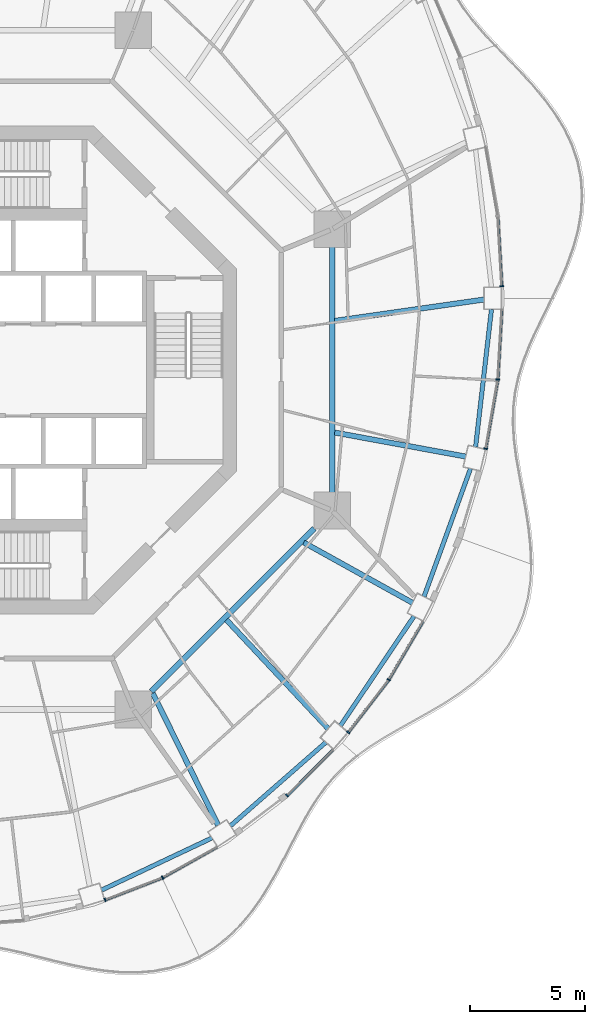
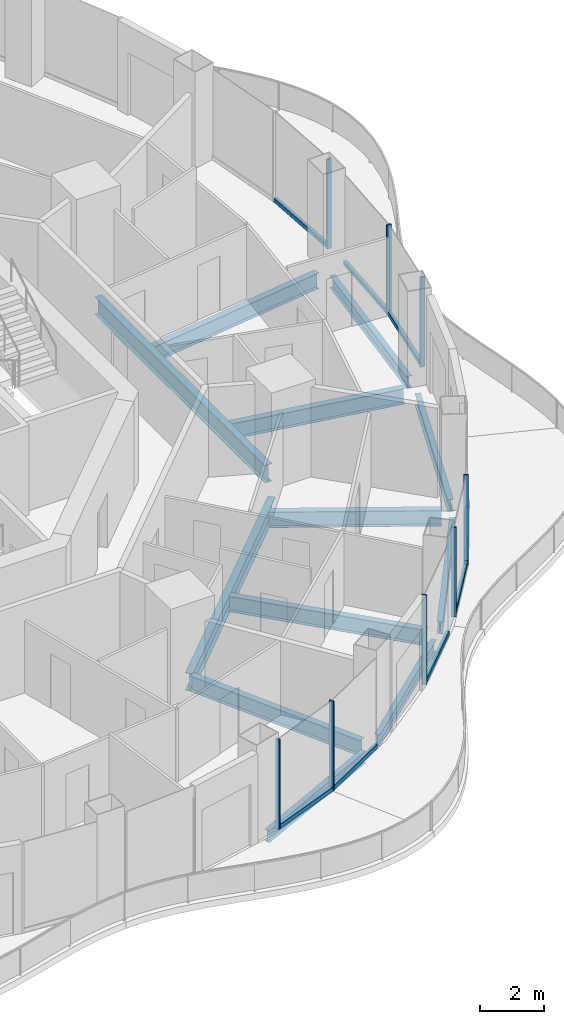
# One storey, part 4 of 18: 16 members, 12 beams, 8 elements without a shape of their own.
"""IFC4 building model written with IfcOpenShell, lengths in metres."""

from ifc_helpers import new_model, si_unit, direction, frame, origin, origin_2d, place, context, subcontext, project, spatial, rectangle, i_section, extrude, material, layer, layer_set, material_profile, profile_set, type_object, element, aggregate, save


model = new_model("IFC4")

# Units and contexts
model_context = context("Model", 3, precision=1e-05, world=origin(), true_north=direction((0.0, 1.0)))
body_context = subcontext(model_context, "Body", "Model", "MODEL_VIEW")
ifc_project = project(units=[si_unit("LENGTHUNIT", "METRE"), si_unit("AREAUNIT", "SQUARE_METRE"), si_unit("VOLUMEUNIT", "CUBIC_METRE"), si_unit("PLANEANGLEUNIT", "RADIAN"), si_unit("MASSUNIT", "GRAM", prefix="KILO")], contexts=[model_context])

# Site, building, storey
site_placement = place(None, origin())
site = spatial("IfcSite", under=ifc_project, at=site_placement, CompositionType="ELEMENT")
building_placement = place(site_placement, origin())
building = spatial("IfcBuilding", under=site, at=building_placement, Name="Nagisa Residences", CompositionType="ELEMENT")
storey_placement = place(building_placement, frame((0.0, 0.0, 234.39990234375)))
storey = spatial("IfcBuildingStorey", under=building, at=storey_placement, Name="L59", CompositionType="ELEMENT", Elevation=234.39990234375)

# Curtain wall, member
ifc_material_1 = material(Name="Concrete-coloured aluminium curtain wall system", Category="concrete")
ifc_layer = layer(ifc_material_1, 0.159912109375)
ifc_layer_set = layer_set([ifc_layer], Name="CW1 CURTAIN WALL")
curtain_wall_type = type_object("IfcCurtainWallType", Name="CW1 CURTAIN WALL", PredefinedType="NOTDEFINED", material=ifc_layer_set)
curtain_wall_1_placement = place(storey_placement, origin())
curtain_wall_1 = element("IfcCurtainWall", 1, at=curtain_wall_1_placement, inside=storey, type_object=curtain_wall_type, Name="cw:CW1:L59:00", PredefinedType="NOTDEFINED")
ifc_material_2 = material(Name="Concrete-coloured aluminium", Category="concrete")
ifc_material_profile_1 = material_profile(ifc_material_2, rectangle(XDim=0.159912109375, YDim=0.06005859375, at=origin_2d()), Name="CW1 MULLION 160x60")
ifc_profile_set_1 = profile_set([ifc_material_profile_1], Name="Concrete-coloured aluminium")
member_type_1 = type_object("IfcMemberType", Name="CW1 MULLION 160x60", PredefinedType="MULLION", material=ifc_profile_set_1)
member_1_placement = place(storey_placement, frame((22.15966796875, 3.642333984375, 0.0), z_axis=(0.0, 0.0, 1.0), x_axis=(-0.998345305184, -0.057503492216, 0.0)))
member_1 = element("IfcMember", 2, at=member_1_placement, type_object=member_type_1, Name="CW1 mullion", PredefinedType="MULLION", context=body_context, shape_type="SweptSolid", body=[
    extrude(rectangle(XDim=0.159912109375, YDim=0.06005859375, at=origin_2d()), origin(), (0.0, 0.0, 1.0), 3.440185546875),
])

curtain_wall_2_placement = place(storey_placement, origin())
curtain_wall_2 = element("IfcCurtainWall", 3, at=curtain_wall_2_placement, inside=storey, type_object=curtain_wall_type, Name="cw:CW1:L59:38", PredefinedType="NOTDEFINED")
member_2_placement = place(storey_placement, frame((4.895263671875, -23.073486328125, 0.0), z_axis=(0.0, 0.0, 1.0), x_axis=(-0.360327770268, 0.932825759707, 0.0)))
member_2 = element("IfcMember", 4, at=member_2_placement, type_object=member_type_1, Name="CW1 mullion", PredefinedType="MULLION", context=body_context, shape_type="SweptSolid", body=[
    extrude(rectangle(XDim=0.159912109375, YDim=0.06005859375, at=origin_2d()), origin(), (0.0, 0.0, 1.0), 3.440185546875),
])

curtain_wall_3_placement = place(storey_placement, origin())
curtain_wall_3 = element("IfcCurtainWall", 5, at=curtain_wall_3_placement, inside=storey, type_object=curtain_wall_type, Name="cw:CW1:L59:39", PredefinedType="NOTDEFINED")
member_3_placement = place(storey_placement, frame((7.398193359375, -22.10302734375, 0.0), z_axis=(0.0, 0.0, 1.0), x_axis=(-0.489376918501, 0.872072377523, 0.0)))
member_3 = element("IfcMember", 6, at=member_3_placement, type_object=member_type_1, Name="CW1 mullion", PredefinedType="MULLION", context=body_context, shape_type="SweptSolid", body=[
    extrude(rectangle(XDim=0.159912109375, YDim=0.06005859375, at=origin_2d()), origin(), (0.0, 0.0, 1.0), 3.440185546875),
])

curtain_wall_4_placement = place(storey_placement, origin())
curtain_wall_4 = element("IfcCurtainWall", 7, at=curtain_wall_4_placement, inside=storey, type_object=curtain_wall_type, Name="cw:CW1:L59:41", PredefinedType="NOTDEFINED")
member_4_placement = place(storey_placement, frame((12.817626953125, -18.534423828125, 0.0), z_axis=(0.0, 0.0, 1.0), x_axis=(-0.706376885714, 0.707835924016, 0.0)))
member_4 = element("IfcMember", 8, at=member_4_placement, type_object=member_type_1, Name="CW1 mullion", PredefinedType="MULLION", context=body_context, shape_type="SweptSolid", body=[
    extrude(rectangle(XDim=0.159912109375, YDim=0.06005859375, at=origin_2d()), origin(), (0.0, 0.0, 1.0), 3.440185546875),
])

curtain_wall_5_placement = place(storey_placement, origin())
curtain_wall_5 = element("IfcCurtainWall", 9, at=curtain_wall_5_placement, inside=storey, type_object=curtain_wall_type, Name="cw:CW1:L59:42", PredefinedType="NOTDEFINED")
member_5_placement = place(storey_placement, frame((15.480224609375, -15.78125, 0.0), z_axis=(0.0, 0.0, 1.0), x_axis=(-0.792070340816, 0.610429828235, 0.0)))
member_5 = element("IfcMember", 10, at=member_5_placement, type_object=member_type_1, Name="CW1 mullion", PredefinedType="MULLION", context=body_context, shape_type="SweptSolid", body=[
    extrude(rectangle(XDim=0.159912109375, YDim=0.06005859375, at=origin_2d()), origin(), (0.0, 0.0, 1.0), 3.440185546875),
])

curtain_wall_6_placement = place(storey_placement, origin())
curtain_wall_6 = element("IfcCurtainWall", 11, at=curtain_wall_6_placement, inside=storey, type_object=curtain_wall_type, Name="cw:CW1:L59:43", PredefinedType="NOTDEFINED")
member_6_placement = place(storey_placement, frame((17.2421875, -13.489990234375, 0.0), z_axis=(0.0, 0.0, 1.0), x_axis=(-0.862328898214, 0.506348567002, 0.0)))
member_6 = element("IfcMember", 12, at=member_6_placement, type_object=member_type_1, Name="CW1 mullion", PredefinedType="MULLION", context=body_context, shape_type="SweptSolid", body=[
    extrude(rectangle(XDim=0.159912109375, YDim=0.06005859375, at=origin_2d()), origin(), (0.0, 0.0, 1.0), 3.440185546875),
])

curtain_wall_7_placement = place(storey_placement, origin())
curtain_wall_7 = element("IfcCurtainWall", 13, at=curtain_wall_7_placement, inside=storey, type_object=curtain_wall_type, Name="cw:CW1:L59:46", PredefinedType="NOTDEFINED")
member_7_placement = place(storey_placement, frame((21.46240234375, -3.435546875, 0.0), z_axis=(0.0, 0.0, 1.0), x_axis=(-0.985063604377, 0.172190868898, 0.0)))
member_7 = element("IfcMember", 14, at=member_7_placement, type_object=member_type_1, Name="CW1 mullion", PredefinedType="MULLION", context=body_context, shape_type="SweptSolid", body=[
    extrude(rectangle(XDim=0.159912109375, YDim=0.06005859375, at=origin_2d()), origin(), (0.0, 0.0, 1.0), 3.440185546875),
])

curtain_wall_8_placement = place(storey_placement, origin())
curtain_wall_8 = element("IfcCurtainWall", 15, at=curtain_wall_8_placement, inside=storey, type_object=curtain_wall_type, Name="cw:CW1:L59:47", PredefinedType="NOTDEFINED")
member_8_placement = place(storey_placement, frame((21.98583984375, -0.4228515625, 0.0), z_axis=(0.0, 0.0, 1.0), x_axis=(-0.998345305184, 0.057503492216, 0.0)))
member_8 = element("IfcMember", 16, at=member_8_placement, type_object=member_type_1, Name="CW1 mullion", PredefinedType="MULLION", context=body_context, shape_type="SweptSolid", body=[
    extrude(rectangle(XDim=0.159912109375, YDim=0.06005859375, at=origin_2d()), origin(), (0.0, 0.0, 1.0), 3.440185546875),
])

# Member
ifc_material_3 = material(Name="Concrete-coloured aluminium", Category="concrete")
ifc_material_profile_2 = material_profile(ifc_material_3, rectangle(XDim=0.1201171875, YDim=0.14990234375, at=origin_2d()), Name="CW1 TRANSOM 120x150")
ifc_profile_set_2 = profile_set([ifc_material_profile_2], Name="Concrete-coloured aluminium")
member_type_2 = type_object("IfcMemberType", Name="CW1 TRANSOM 120x150", PredefinedType="USERDEFINED", material=ifc_profile_set_2)
member_9_placement = place(storey_placement, frame((22.161376953125, 3.6123046875, 0.0751953125), z_axis=(-0.057528189427, 0.998343882348, 0.0), x_axis=(-0.998343882348, -0.057528189427, 0.0)))
member_9 = element("IfcMember", 17, at=member_9_placement, type_object=member_type_2, Name="CW1 transom", ObjectType="TRANSOM", PredefinedType="USERDEFINED", context=body_context, shape_type="SweptSolid", body=[
    extrude(rectangle(XDim=0.1201171875, YDim=0.14990234375, at=origin_2d()), origin(), (0.0, 0.0, 1.0), 3.0810546875),
])

aggregate(curtain_wall_1, [member_1, member_9])

member_10_placement = place(storey_placement, frame((4.867431640625, -23.084228515625, 0.0751953125), z_axis=(0.932826499224, 0.360325855782, 0.0), x_axis=(-0.360325855782, 0.932826499224, 0.0)))
member_10 = element("IfcMember", 18, at=member_10_placement, type_object=member_type_2, Name="CW1 transom", ObjectType="TRANSOM", PredefinedType="USERDEFINED", context=body_context, shape_type="SweptSolid", body=[
    extrude(rectangle(XDim=0.1201171875, YDim=0.14990234375, at=origin_2d()), origin(), (0.0, 0.0, 1.0), 2.696044921875),
])

aggregate(curtain_wall_2, [member_2, member_10])

member_11_placement = place(storey_placement, frame((7.3720703125, -22.11767578125, 0.0751953125), z_axis=(0.872041873719, 0.489431272479, 0.0), x_axis=(-0.489431272479, 0.872041873719, 0.0)))
member_11 = element("IfcMember", 19, at=member_11_placement, type_object=member_type_2, Name="CW1 transom", ObjectType="TRANSOM", PredefinedType="USERDEFINED", context=body_context, shape_type="SweptSolid", body=[
    extrude(rectangle(XDim=0.1201171875, YDim=0.14990234375, at=origin_2d()), origin(), (0.0, 0.0, 1.0), 2.738037109375),
])

aggregate(curtain_wall_3, [member_3, member_11])

member_12_placement = place(storey_placement, frame((12.79638671875, -18.5556640625, 0.0751953125), z_axis=(0.707836044127, 0.706376765356, 0.0), x_axis=(-0.706376765356, 0.707836044127, 0.0)))
member_12 = element("IfcMember", 20, at=member_12_placement, type_object=member_type_2, Name="CW1 transom", ObjectType="TRANSOM", PredefinedType="USERDEFINED", context=body_context, shape_type="SweptSolid", body=[
    extrude(rectangle(XDim=0.1201171875, YDim=0.14990234375, at=origin_2d()), origin(), (0.0, 0.0, 1.0), 2.84423828125),
])

aggregate(curtain_wall_4, [member_4, member_12])

member_13_placement = place(storey_placement, frame((15.4619140625, -15.80517578125, 0.0751953125), z_axis=(0.610438565676, 0.792063607001, 0.0), x_axis=(-0.792063607001, 0.610438565676, 0.0)))
member_13 = element("IfcMember", 21, at=member_13_placement, type_object=member_type_2, Name="CW1 transom", ObjectType="TRANSOM", PredefinedType="USERDEFINED", context=body_context, shape_type="SweptSolid", body=[
    extrude(rectangle(XDim=0.1201171875, YDim=0.14990234375, at=origin_2d()), origin(), (0.0, 0.0, 1.0), 2.90087890625),
])

aggregate(curtain_wall_5, [member_5, member_13])

member_14_placement = place(storey_placement, frame((17.22705078125, -13.515869140625, 0.0751953125), z_axis=(0.5063555387, 0.862324804484, 0.0), x_axis=(-0.862324804484, 0.5063555387, 0.0)))
member_14 = element("IfcMember", 22, at=member_14_placement, type_object=member_type_2, Name="CW1 transom", ObjectType="TRANSOM", PredefinedType="USERDEFINED", context=body_context, shape_type="SweptSolid", body=[
    extrude(rectangle(XDim=0.1201171875, YDim=0.14990234375, at=origin_2d()), origin(), (0.0, 0.0, 1.0), 2.95458984375),
])

aggregate(curtain_wall_6, [member_6, member_14])

member_15_placement = place(storey_placement, frame((21.45703125, -3.465087890625, 0.0751953125), z_axis=(0.172241318156, 0.985054784426, 0.0), x_axis=(-0.985054784426, 0.172241318156, 0.0)))
member_15 = element("IfcMember", 23, at=member_15_placement, type_object=member_type_2, Name="CW1 transom", ObjectType="TRANSOM", PredefinedType="USERDEFINED", context=body_context, shape_type="SweptSolid", body=[
    extrude(rectangle(XDim=0.1201171875, YDim=0.14990234375, at=origin_2d()), origin(), (0.0, 0.0, 1.0), 3.0673828125),
])

aggregate(curtain_wall_7, [member_7, member_15])

member_16_placement = place(storey_placement, frame((21.984130859375, -0.452880859375, 0.0751953125), z_axis=(0.057528189427, 0.998343882348, 0.0), x_axis=(-0.998343882348, 0.057528189427, 0.0)))
member_16 = element("IfcMember", 24, at=member_16_placement, type_object=member_type_2, Name="CW1 transom", ObjectType="TRANSOM", PredefinedType="USERDEFINED", context=body_context, shape_type="SweptSolid", body=[
    extrude(rectangle(XDim=0.1201171875, YDim=0.14990234375, at=origin_2d()), origin(), (0.0, 0.0, 1.0), 3.0810546875),
])

aggregate(curtain_wall_8, [member_8, member_16])

# Beams
ifc_material_4 = material(Name="Steel ASTM A572 Gr 50", Category="steel")
ifc_material_profile_3 = material_profile(ifc_material_4, i_section(OverallWidth=0.2529296875, OverallDepth=0.677978515625, WebThickness=0.01171875, FlangeThickness=0.016357421875, at=origin_2d()), Name="W690x125")
ifc_profile_set_3 = profile_set([ifc_material_profile_3], Name="Steel ASTM A572 Gr 50")
beam_type_1 = type_object("IfcBeamType", Name="Inner ring beam W690x125", PredefinedType="BEAM", material=ifc_profile_set_3)
beam_1_placement = place(storey_placement, frame((6.90869140625, -13.99609375, -0.598876953125), z_axis=(0.707106781187, 0.707106781187, 0.0), x_axis=(-0.707106781187, 0.707106781187, 0.0)))
element("IfcBeam", 25, at=beam_1_placement, inside=storey, type_object=beam_type_1, Name="beam:L59:ib7", PredefinedType="BEAM", context=body_context, shape_type="SweptSolid", body=[
    extrude(i_section(OverallWidth=0.2529296875, OverallDepth=0.677978515625, WebThickness=0.01171875, FlangeThickness=0.016357421875, at=origin_2d()), origin(), (0.0, 0.0, 1.0), 10.023193359375),
])
beam_2_placement = place(storey_placement, frame((14.781982421875, -5.343017578125, -0.598876953125), z_axis=(0.0, 1.0, 0.0), x_axis=(-1.0, 0.0, 0.0)))
element("IfcBeam", 26, at=beam_2_placement, inside=storey, type_object=beam_type_1, Name="beam:L59:ib8", PredefinedType="BEAM", context=body_context, shape_type="SweptSolid", body=[
    extrude(i_section(OverallWidth=0.2529296875, OverallDepth=0.677978515625, WebThickness=0.01171875, FlangeThickness=0.016357421875, at=origin_2d()), origin(), (0.0, 0.0, 1.0), 10.68603515625),
])
ifc_material_5 = material(Name="Steel ASTM A572 Gr 50", Category="steel")
ifc_material_profile_4 = material_profile(ifc_material_5, i_section(OverallWidth=0.18994140625, OverallDepth=0.45703125, WebThickness=0.009033203125, FlangeThickness=0.014404296875, at=origin_2d()), Name="W460x74")
ifc_profile_set_4 = profile_set([ifc_material_profile_4], Name="Steel ASTM A572 Gr 50")
beam_type_2 = type_object("IfcBeamType", Name="Perimeter ring beam W460x74", PredefinedType="BEAM", material=ifc_profile_set_4)
beam_3_placement = place(storey_placement, frame((4.7392578125, -22.648681640625, -0.48828125), z_axis=(0.904133867308, 0.42724928319, 0.0), x_axis=(-0.42724928319, 0.904133867308, 0.0)))
element("IfcBeam", 27, at=beam_3_placement, inside=storey, type_object=beam_type_2, Name="beam:L59:pb20", PredefinedType="BEAM", context=body_context, shape_type="SweptSolid", body=[
    extrude(i_section(OverallWidth=0.18994140625, OverallDepth=0.45703125, WebThickness=0.009033203125, FlangeThickness=0.014404296875, at=origin_2d()), origin(), (0.0, 0.0, 1.0), 5.317138671875),
])
beam_4_placement = place(storey_placement, frame((10.349853515625, -19.850341796875, -0.48828125), z_axis=(0.75242320672, 0.65867998147, 0.0), x_axis=(-0.65867998147, 0.75242320672, 0.0)))
element("IfcBeam", 28, at=beam_4_placement, inside=storey, type_object=beam_type_2, Name="beam:L59:pb21", PredefinedType="BEAM", context=body_context, shape_type="SweptSolid", body=[
    extrude(i_section(OverallWidth=0.18994140625, OverallDepth=0.45703125, WebThickness=0.009033203125, FlangeThickness=0.014404296875, at=origin_2d()), origin(), (0.0, 0.0, 1.0), 5.5185546875),
])
beam_5_placement = place(storey_placement, frame((15.13671875, -15.49462890625, -0.48828125), z_axis=(0.558109119402, 0.829767564345, 0.0), x_axis=(-0.829767564345, 0.558109119402, 0.0)))
element("IfcBeam", 29, at=beam_5_placement, inside=storey, type_object=beam_type_2, Name="beam:L59:pb22", PredefinedType="BEAM", context=body_context, shape_type="SweptSolid", body=[
    extrude(i_section(OverallWidth=0.18994140625, OverallDepth=0.45703125, WebThickness=0.009033203125, FlangeThickness=0.014404296875, at=origin_2d()), origin(), (0.0, 0.0, 1.0), 5.74365234375),
])
beam_6_placement = place(storey_placement, frame((18.77734375, -9.87255859375, -0.48828125), z_axis=(0.341290329164, 0.939957930558, 0.0), x_axis=(-0.939957930558, 0.341290329164, 0.0)))
element("IfcBeam", 30, at=beam_6_placement, inside=storey, type_object=beam_type_2, Name="beam:L59:pb23", PredefinedType="BEAM", context=body_context, shape_type="SweptSolid", body=[
    extrude(i_section(OverallWidth=0.18994140625, OverallDepth=0.45703125, WebThickness=0.009033203125, FlangeThickness=0.014404296875, at=origin_2d()), origin(), (0.0, 0.0, 1.0), 5.932373046875),
])
beam_7_placement = place(storey_placement, frame((21.022216796875, -3.36181640625, -0.48828125), z_axis=(0.114650193512, 0.993405925656, 0.0), x_axis=(-0.993405925656, 0.114650193512, 0.0)))
element("IfcBeam", 31, at=beam_7_placement, inside=storey, type_object=beam_type_2, Name="beam:L59:pb24", PredefinedType="BEAM", context=body_context, shape_type="SweptSolid", body=[
    extrude(i_section(OverallWidth=0.18994140625, OverallDepth=0.45703125, WebThickness=0.009033203125, FlangeThickness=0.014404296875, at=origin_2d()), origin(), (0.0, 0.0, 1.0), 6.0390625),
])
ifc_material_6 = material(Name="Steel ASTM A572 Gr 50", Category="steel")
ifc_material_profile_5 = material_profile(ifc_material_6, i_section(OverallWidth=0.22802734375, OverallDepth=0.60302734375, WebThickness=0.010498046875, FlangeThickness=0.014892578125, at=origin_2d()), Name="W610x101")
ifc_profile_set_5 = profile_set([ifc_material_profile_5], Name="Steel ASTM A572 Gr 50")
beam_type_3 = type_object("IfcBeamType", Name="Radial beam W610x101", PredefinedType="BEAM", material=ifc_profile_set_5)
beam_8_placement = place(storey_placement, frame((21.389892578125, 3.063232421875, -0.5615234375), z_axis=(-0.989903345459, -0.141744018034, 0.0), x_axis=(0.141744018034, -0.989903345459, 0.0)))
element("IfcBeam", 32, at=beam_8_placement, inside=storey, type_object=beam_type_3, Name="beam:L59:rb01", PredefinedType="BEAM", context=body_context, shape_type="SweptSolid", body=[
    extrude(i_section(OverallWidth=0.22802734375, OverallDepth=0.60302734375, WebThickness=0.010498046875, FlangeThickness=0.014892578125, at=origin_2d()), origin(), (0.0, 0.0, 1.0), 6.567626953125),
])
beam_9_placement = place(storey_placement, frame((9.815185546875, -19.826416015625, -0.5615234375), z_axis=(-0.443658666969, 0.896195842003, 0.0), x_axis=(-0.896195842003, -0.443658666969, 0.0)))
element("IfcBeam", 33, at=beam_9_placement, inside=storey, type_object=beam_type_3, Name="beam:L59:rb21", PredefinedType="BEAM", context=body_context, shape_type="SweptSolid", body=[
    extrude(i_section(OverallWidth=0.22802734375, OverallDepth=0.60302734375, WebThickness=0.010498046875, FlangeThickness=0.014892578125, at=origin_2d()), origin(), (0.0, 0.0, 1.0), 6.406982421875),
])
beam_10_placement = place(storey_placement, frame((14.605712890625, -15.617431640625, -0.5615234375), z_axis=(-0.683072943543, 0.730350158349, 0.0), x_axis=(-0.730350158349, -0.683072943543, 0.0)))
element("IfcBeam", 34, at=beam_10_placement, inside=storey, type_object=beam_type_3, Name="beam:L59:rb22", PredefinedType="BEAM", context=body_context, shape_type="SweptSolid", body=[
    extrude(i_section(OverallWidth=0.22802734375, OverallDepth=0.60302734375, WebThickness=0.010498046875, FlangeThickness=0.014892578125, at=origin_2d()), origin(), (0.0, 0.0, 1.0), 6.486083984375),
])
beam_11_placement = place(storey_placement, frame((18.27978515625, -10.142822265625, -0.5615234375), z_axis=(-0.874405859214, 0.485195211614, 0.0), x_axis=(-0.485195211614, -0.874405859214, 0.0)))
element("IfcBeam", 35, at=beam_11_placement, inside=storey, type_object=beam_type_3, Name="beam:L59:rb23", PredefinedType="BEAM", context=body_context, shape_type="SweptSolid", body=[
    extrude(i_section(OverallWidth=0.22802734375, OverallDepth=0.60302734375, WebThickness=0.010498046875, FlangeThickness=0.014892578125, at=origin_2d()), origin(), (0.0, 0.0, 1.0), 5.417724609375),
])
beam_12_placement = place(storey_placement, frame((20.592529296875, -3.7734375, -0.5615234375), z_axis=(-0.983621738755, 0.180245041675, 0.0), x_axis=(-0.180245041675, -0.983621738755, 0.0)))
element("IfcBeam", 36, at=beam_12_placement, inside=storey, type_object=beam_type_3, Name="beam:L59:rb24", PredefinedType="BEAM", context=body_context, shape_type="SweptSolid", body=[
    extrude(i_section(OverallWidth=0.22802734375, OverallDepth=0.60302734375, WebThickness=0.010498046875, FlangeThickness=0.014892578125, at=origin_2d()), origin(), (0.0, 0.0, 1.0), 5.798583984375),
])

save(model, "model.ifc")
